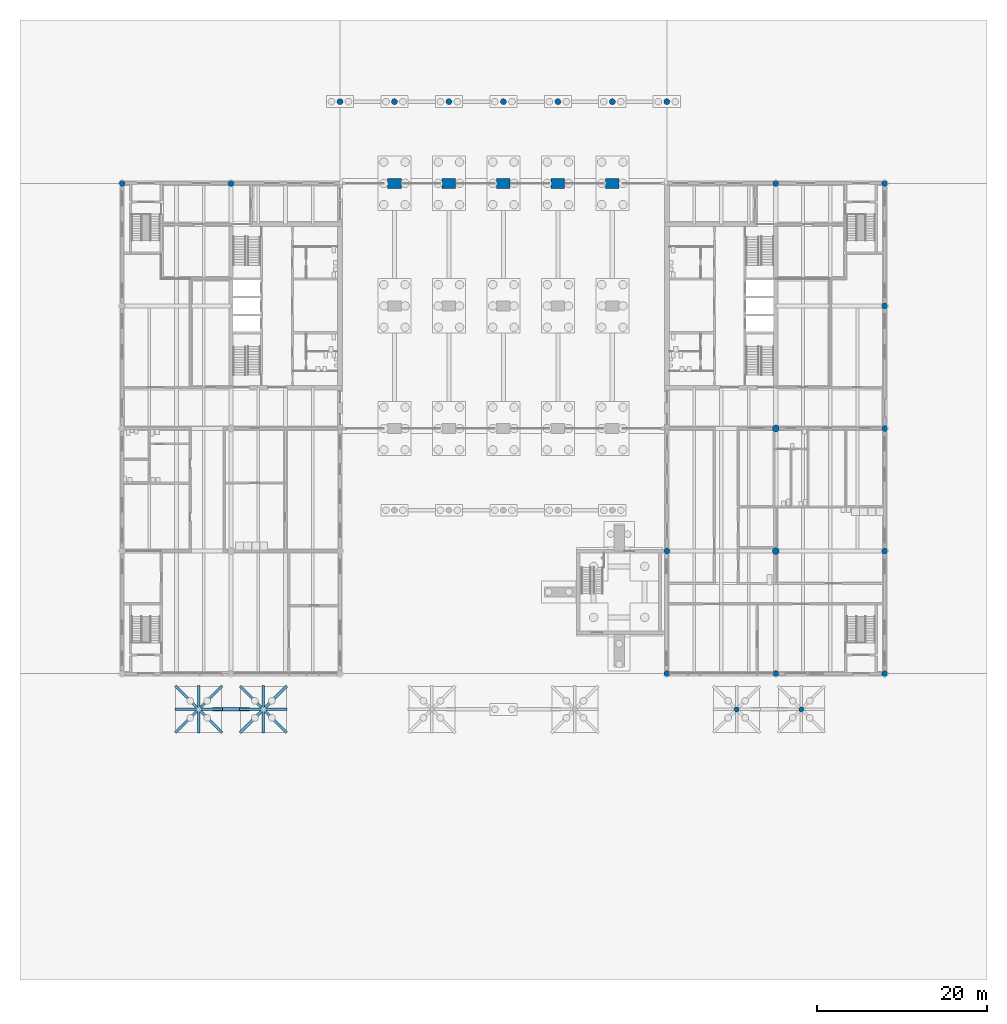
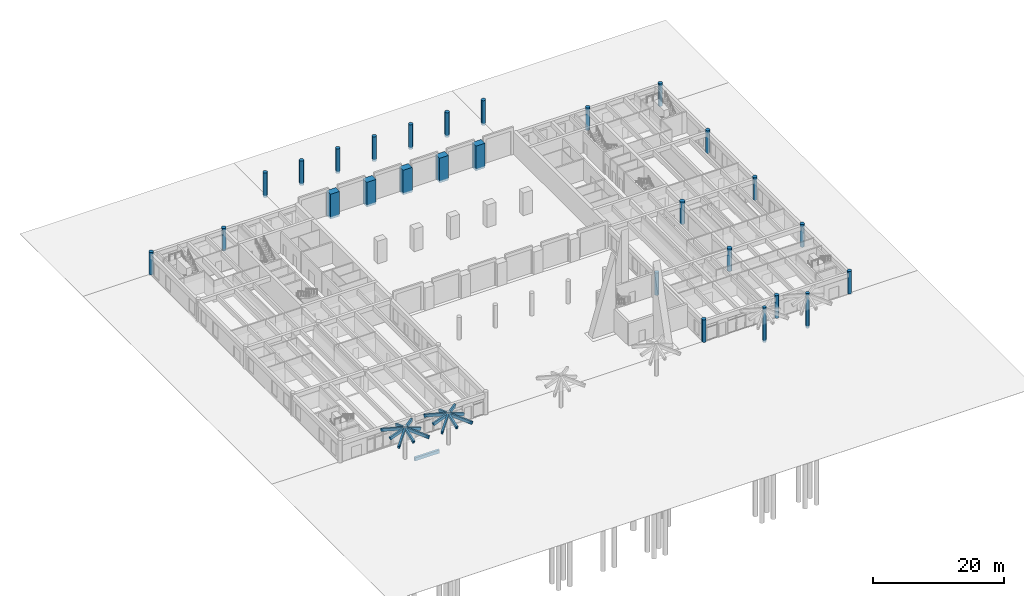
# One storey, part 4 of 28: 27 columns, 17 beams.
"""IFC4 building model written with IfcOpenShell, lengths in metres."""

from ifc_helpers import new_model, si_unit, direction, frame, origin, origin_2d, place, context, subcontext, project, spatial, rectangle, circle, extrude, material, material_profile, profile_set, type_object, element, save


model = new_model("IFC4")

# Units and contexts
model_context = context("Model", 3, precision=1e-05, world=origin(), true_north=direction((0.0, 1.0)))
body_context = subcontext(model_context, "Body", "Model", "MODEL_VIEW")
ifc_project = project(units=[si_unit("LENGTHUNIT", "METRE"), si_unit("AREAUNIT", "SQUARE_METRE"), si_unit("VOLUMEUNIT", "CUBIC_METRE"), si_unit("PLANEANGLEUNIT", "RADIAN"), si_unit("MASSUNIT", "GRAM", prefix="KILO")], contexts=[model_context])

# Site, building, storey
site_placement = place(None, origin())
site = spatial("IfcSite", under=ifc_project, at=site_placement, CompositionType="ELEMENT")
building_placement = place(site_placement, origin())
building = spatial("IfcBuilding", under=site, at=building_placement, Name="Fogon Plaza Fire Station and Headquarters Tower", CompositionType="ELEMENT")
storey_placement = place(building_placement, origin())
storey = spatial("IfcBuildingStorey", under=building, at=storey_placement, Name="L00", CompositionType="ELEMENT", Elevation=0.0)

# Columns
ifc_material_1 = material(Name="Concrete C40", Category="concrete")
ifc_material_profile_1 = material_profile(ifc_material_1, rectangle(XDim=1.60009765625, YDim=1.199951171875, at=origin_2d()), Name="RC 1600x1200")
ifc_profile_set_1 = profile_set([ifc_material_profile_1], Name="Concrete C40")
column_type_1 = type_object("IfcColumnType", Name="COLUMN RC 1600x1200", PredefinedType="PILASTER", material=ifc_profile_set_1)
for number, where, z_axis, x_axis, name in (
    (1, (32.0, 57.60009765625, -0.39990234375), (0.0, 0.0, 1.0), (1.0, 0.0, 0.0), "col-L00-4H"),
    (2, (38.39990234375, 57.60009765625, -0.39990234375), (0.0, 0.0, 1.0), (1.0, 0.0, 0.0), "col-L00-5H"),
    (3, (44.800048828125, 57.60009765625, -0.39990234375), (0.0, 0.0, 1.0), (1.0, 0.0, 0.0), "col-L00-6H"),
    (4, (51.199951171875, 57.60009765625, -0.39990234375), (0.0, 0.0, 1.0), (1.0, 0.0, 0.0), "col-L00-7H"),
    (5, (57.60009765625, 57.60009765625, -0.39990234375), (0.0, 0.0, 1.0), (1.0, 0.0, 0.0), "col-L00-8H"),
):
    element("IfcColumn", number, at=place(storey_placement, frame(where, z_axis=z_axis, x_axis=x_axis)), inside=storey, type_object=column_type_1, Name=name, PredefinedType="PILASTER", context=body_context, shape_type="SweptSolid", body=[
        extrude(rectangle(XDim=1.60009765625, YDim=1.199951171875, at=origin_2d()), origin(), (0.0, 0.0, 1.0), 4.599853515625),
    ])
ifc_material_2 = material(Name="Concrete C40", Category="concrete")
ifc_material_profile_2 = material_profile(ifc_material_2, circle(Radius=0.300048828125, at=origin_2d()), Name="RC D600")
ifc_profile_set_2 = profile_set([ifc_material_profile_2], Name="Concrete C40")
column_type_2 = type_object("IfcColumnType", Name="COLUMN RC D600", PredefinedType="COLUMN", material=ifc_profile_set_2)
for number, where, z_axis, x_axis, name in (
    (6, (72.199951171875, -4.199951171875, -0.39990234375), (0.0, 0.0, 1.0), (1.0, 0.0, 0.0), "col-L00-U5"),
    (7, (79.800048828125, -4.199951171875, -0.39990234375), (0.0, 0.0, 1.0), (1.0, 0.0, 0.0), "col-L00-U6"),
):
    element("IfcColumn", number, at=place(storey_placement, frame(where, z_axis=z_axis, x_axis=x_axis)), inside=storey, type_object=column_type_2, Name=name, PredefinedType="COLUMN", context=body_context, shape_type="SweptSolid", body=[
        extrude(circle(Radius=0.300048828125, at=origin_2d()), origin(), (0.0, 0.0, 1.0), 6.469970703125),
    ])
ifc_material_3 = material(Name="Concrete C40", Category="concrete")
ifc_material_profile_3 = material_profile(ifc_material_3, circle(Radius=0.35009765625, at=origin_2d()), Name="RC D700")
ifc_profile_set_3 = profile_set([ifc_material_profile_3], Name="Concrete C40")
column_type_3 = type_object("IfcColumnType", Name="COLUMN RC D700", PredefinedType="COLUMN", material=ifc_profile_set_3)
for number, where, z_axis, x_axis, name in (
    (8, (0.0, 57.60009765625, 0.0), (0.0, 0.0, 1.0), (1.0, 0.0, 0.0), "col-L00-1H"),
    (9, (12.800048828125, 57.60009765625, 0.0), (0.0, 0.0, 1.0), (1.0, 0.0, 0.0), "col-L00-2H"),
    (10, (89.60009765625, 0.0, 0.0), (0.0, 0.0, 1.0), (1.0, 0.0, 0.0), "col-L00-11A"),
    (11, (89.60009765625, 14.39990234375, 0.0), (0.0, 0.0, 1.0), (1.0, 0.0, 0.0), "col-L00-11B"),
    (12, (89.60009765625, 28.800048828125, 0.0), (0.0, 0.0, 1.0), (1.0, 0.0, 0.0), "col-L00-11D"),
    (13, (89.60009765625, 43.199951171875, 0.0), (0.0, 0.0, 1.0), (1.0, 0.0, 0.0), "col-L00-11F"),
    (14, (89.60009765625, 57.60009765625, 0.0), (0.0, 0.0, 1.0), (1.0, 0.0, 0.0), "col-L00-11H"),
    (15, (76.800048828125, 0.0, 0.0), (0.0, 0.0, 1.0), (1.0, 0.0, 0.0), "col-L00-10A"),
    (16, (76.800048828125, 57.60009765625, 0.0), (0.0, 0.0, 1.0), (1.0, 0.0, 0.0), "col-L00-10H"),
    (17, (64.0, 0.0, 0.0), (0.0, 0.0, 1.0), (1.0, 0.0, 0.0), "col-L00-9A"),
    (18, (64.0, 14.39990234375, 0.0), (0.0, 0.0, 1.0), (1.0, 0.0, 0.0), "col-L00-9B"),
):
    element("IfcColumn", number, at=place(storey_placement, frame(where, z_axis=z_axis, x_axis=x_axis)), inside=storey, type_object=column_type_3, Name=name, PredefinedType="COLUMN", context=body_context, shape_type="SweptSolid", body=[
        extrude(circle(Radius=0.35009765625, at=origin_2d()), origin(), (0.0, 0.0, 1.0), 4.199951171875),
    ])
for number, where, z_axis, x_axis, name in (
    (19, (25.60009765625, 67.199951171875, -0.39990234375), (0.0, 0.0, 1.0), (1.0, 0.0, 0.0), "col-L00-CF3"),
    (20, (32.0, 67.199951171875, -0.39990234375), (0.0, 0.0, 1.0), (1.0, 0.0, 0.0), "col-L00-CF4"),
    (21, (38.39990234375, 67.199951171875, -0.39990234375), (0.0, 0.0, 1.0), (1.0, 0.0, 0.0), "col-L00-CF5"),
    (22, (44.800048828125, 67.199951171875, -0.39990234375), (0.0, 0.0, 1.0), (1.0, 0.0, 0.0), "col-L00-CF6"),
    (23, (51.199951171875, 67.199951171875, -0.39990234375), (0.0, 0.0, 1.0), (1.0, 0.0, 0.0), "col-L00-CF7"),
    (24, (57.60009765625, 67.199951171875, -0.39990234375), (0.0, 0.0, 1.0), (1.0, 0.0, 0.0), "col-L00-CF8"),
    (25, (64.0, 67.199951171875, -0.39990234375), (0.0, 0.0, 1.0), (1.0, 0.0, 0.0), "col-L00-CF9"),
):
    element("IfcColumn", number, at=place(storey_placement, frame(where, z_axis=z_axis, x_axis=x_axis)), inside=storey, type_object=column_type_3, Name=name, PredefinedType="COLUMN", context=body_context, shape_type="SweptSolid", body=[
        extrude(circle(Radius=0.35009765625, at=origin_2d()), origin(), (0.0, 0.0, 1.0), 4.599853515625),
    ])
ifc_material_4 = material(Name="Concrete C40", Category="concrete")
ifc_material_profile_4 = material_profile(ifc_material_4, circle(Radius=0.39990234375, at=origin_2d()), Name="RC D800")
ifc_profile_set_4 = profile_set([ifc_material_profile_4], Name="Concrete C40")
column_type_4 = type_object("IfcColumnType", Name="COLUMN RC D800", PredefinedType="COLUMN", material=ifc_profile_set_4)
for number, where, z_axis, x_axis, name in (
    (26, (76.800048828125, 14.39990234375, 0.0), (0.0, 0.0, 1.0), (1.0, 0.0, 0.0), "col-L00-10B"),
    (27, (76.800048828125, 28.800048828125, 0.0), (0.0, 0.0, 1.0), (1.0, 0.0, 0.0), "col-L00-10D"),
):
    element("IfcColumn", number, at=place(storey_placement, frame(where, z_axis=z_axis, x_axis=x_axis)), inside=storey, type_object=column_type_4, Name=name, PredefinedType="COLUMN", context=body_context, shape_type="SweptSolid", body=[
        extrude(circle(Radius=0.39990234375, at=origin_2d()), origin(), (0.0, 0.0, 1.0), 4.199951171875),
    ])

# Beams
ifc_material_5 = material(Name="Concrete C40", Category="concrete")
ifc_material_profile_5 = material_profile(ifc_material_5, rectangle(XDim=0.300048828125, YDim=0.5, at=origin_2d()), Name="RC 300x500")
ifc_profile_set_5 = profile_set([ifc_material_profile_5], Name="Concrete C40")
beam_type_1 = type_object("IfcBeamType", Name="BEAM RC 300x500", PredefinedType="BEAM", material=ifc_profile_set_5)
for number, where, z_axis, x_axis, name in (
    (28, (9.0, -4.199951171875, 5.6201171875), (-0.684036905099, -0.684036905099, -0.253351583623), (0.707106781187, -0.707106781187, 0.0), "beam-L00-U1-1"),
    (29, (9.0, -4.199951171875, 5.6201171875), (0.684036905099, -0.684036905099, -0.253351583623), (0.707106781187, 0.707106781187, 0.0), "beam-L00-U1-2"),
    (30, (9.0, -4.199951171875, 5.6201171875), (0.684036905099, 0.684036905099, -0.253351583623), (-0.707106781187, 0.707106781187, 0.0), "beam-L00-U1-3"),
    (31, (9.0, -4.199951171875, 5.6201171875), (-0.684036905099, 0.684036905099, -0.253351583623), (-0.707106781187, -0.707106781187, 0.0), "beam-L00-U1-4"),
):
    element("IfcBeam", number, at=place(storey_placement, frame(where, z_axis=z_axis, x_axis=x_axis)), inside=storey, type_object=beam_type_1, Name=name, PredefinedType="BEAM", context=body_context, shape_type="SweptSolid", body=[
        extrude(rectangle(XDim=0.300048828125, YDim=0.5, at=origin_2d()), origin(), (0.0, 0.0, 1.0), 3.947021484375),
    ])
for number, where, z_axis, x_axis, name in (
    (32, (9.0, -4.199951171875, 5.6201171875), (0.0, -0.937746714992, -0.347319879248), (1.0, 0.0, 0.0), "beam-L00-U1-5"),
    (33, (9.0, -4.199951171875, 5.6201171875), (0.937746714992, 0.0, -0.347319879248), (0.0, 1.0, 0.0), "beam-L00-U1-6"),
    (34, (9.0, -4.199951171875, 5.6201171875), (0.0, 0.937746714992, -0.347319879248), (-1.0, 0.0, 0.0), "beam-L00-U1-7"),
    (35, (9.0, -4.199951171875, 5.6201171875), (-0.937746714992, 0.0, -0.347319879248), (0.0, -1.0, 0.0), "beam-L00-U1-8"),
):
    element("IfcBeam", number, at=place(storey_placement, frame(where, z_axis=z_axis, x_axis=x_axis)), inside=storey, type_object=beam_type_1, Name=name, PredefinedType="BEAM", context=body_context, shape_type="SweptSolid", body=[
        extrude(rectangle(XDim=0.300048828125, YDim=0.5, at=origin_2d()), origin(), (0.0, 0.0, 1.0), 2.879150390625),
    ])
beam_1_placement = place(storey_placement, frame((16.60009765625, -4.199951171875, 5.6201171875), z_axis=(-0.684069814811, -0.684007964014, -0.253340864509), x_axis=(0.707074812166, -0.707138748762, 0.0)))
element("IfcBeam", 36, at=beam_1_placement, inside=storey, type_object=beam_type_1, Name="beam-L00-U2-1", PredefinedType="BEAM", context=body_context, shape_type="SweptSolid", body=[
    extrude(rectangle(XDim=0.300048828125, YDim=0.5, at=origin_2d()), origin(), (0.0, 0.0, 1.0), 3.947265625),
])
for number, where, z_axis, x_axis, name in (
    (37, (16.60009765625, -4.199951171875, 5.6201171875), (0.684036905099, -0.684036905099, -0.253351583623), (0.707106781187, 0.707106781187, 0.0), "beam-L00-U2-2"),
    (38, (16.60009765625, -4.199951171875, 5.6201171875), (0.684036905099, 0.684036905099, -0.253351583623), (-0.707106781187, 0.707106781187, 0.0), "beam-L00-U2-3"),
):
    element("IfcBeam", number, at=place(storey_placement, frame(where, z_axis=z_axis, x_axis=x_axis)), inside=storey, type_object=beam_type_1, Name=name, PredefinedType="BEAM", context=body_context, shape_type="SweptSolid", body=[
        extrude(rectangle(XDim=0.300048828125, YDim=0.5, at=origin_2d()), origin(), (0.0, 0.0, 1.0), 3.947021484375),
    ])
beam_2_placement = place(storey_placement, frame((16.60009765625, -4.199951171875, 5.6201171875), z_axis=(-0.684069814811, 0.684007964014, -0.253340864509), x_axis=(-0.707074812166, -0.707138748762, 0.0)))
element("IfcBeam", 39, at=beam_2_placement, inside=storey, type_object=beam_type_1, Name="beam-L00-U2-4", PredefinedType="BEAM", context=body_context, shape_type="SweptSolid", body=[
    extrude(rectangle(XDim=0.300048828125, YDim=0.5, at=origin_2d()), origin(), (0.0, 0.0, 1.0), 3.947265625),
])
for number, where, z_axis, x_axis, name in (
    (40, (16.60009765625, -4.199951171875, 5.6201171875), (0.0, -0.937746714992, -0.347319879248), (1.0, 0.0, 0.0), "beam-L00-U2-5"),
    (41, (16.60009765625, -4.199951171875, 5.6201171875), (0.937746714992, 0.0, -0.347319879248), (0.0, 1.0, 0.0), "beam-L00-U2-6"),
    (42, (16.60009765625, -4.199951171875, 5.6201171875), (0.0, 0.937746714992, -0.347319879248), (-1.0, 0.0, 0.0), "beam-L00-U2-7"),
):
    element("IfcBeam", number, at=place(storey_placement, frame(where, z_axis=z_axis, x_axis=x_axis)), inside=storey, type_object=beam_type_1, Name=name, PredefinedType="BEAM", context=body_context, shape_type="SweptSolid", body=[
        extrude(rectangle(XDim=0.300048828125, YDim=0.5, at=origin_2d()), origin(), (0.0, 0.0, 1.0), 2.879150390625),
    ])
beam_3_placement = place(storey_placement, frame((16.60009765625, -4.199951171875, 5.6201171875), z_axis=(-0.937756942673, 0.0, -0.34729226376), x_axis=(0.0, -1.0, 0.0)))
element("IfcBeam", 43, at=beam_3_placement, inside=storey, type_object=beam_type_1, Name="beam-L00-U2-8", PredefinedType="BEAM", context=body_context, shape_type="SweptSolid", body=[
    extrude(rectangle(XDim=0.300048828125, YDim=0.5, at=origin_2d()), origin(), (0.0, 0.0, 1.0), 2.87939453125),
])
ifc_material_6 = material(Name="Concrete C40", Category="concrete")
ifc_material_profile_6 = material_profile(ifc_material_6, rectangle(XDim=0.39990234375, YDim=0.60009765625, at=origin_2d()), Name="RC 400x600")
ifc_profile_set_6 = profile_set([ifc_material_profile_6], Name="Concrete C40")
beam_type_2 = type_object("IfcBeamType", Name="UMBRELLA TIE RC 400x600", PredefinedType="BEAM", material=ifc_profile_set_6)
beam_4_placement = place(storey_placement, frame((10.64990234375, -4.199951171875, -0.699951171875), z_axis=(1.0, 0.0, 0.0), x_axis=(0.0, 1.0, 0.0)))
element("IfcBeam", 44, at=beam_4_placement, inside=storey, type_object=beam_type_2, Name="beam-L00-TB021", PredefinedType="BEAM", context=body_context, shape_type="SweptSolid", body=[
    extrude(rectangle(XDim=0.39990234375, YDim=0.60009765625, at=origin_2d()), origin(), (0.0, 0.0, 1.0), 4.300048828125),
])

save(model, "model.ifc")
